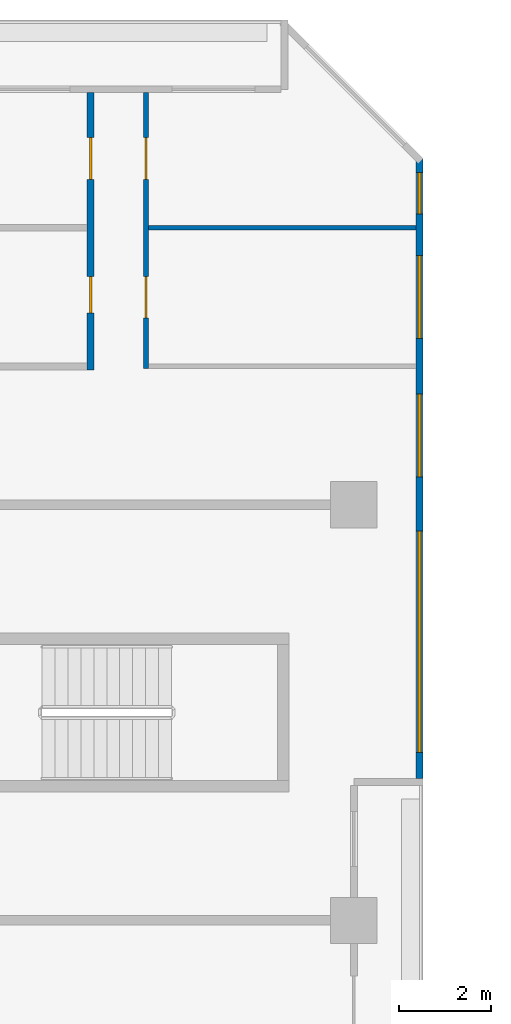
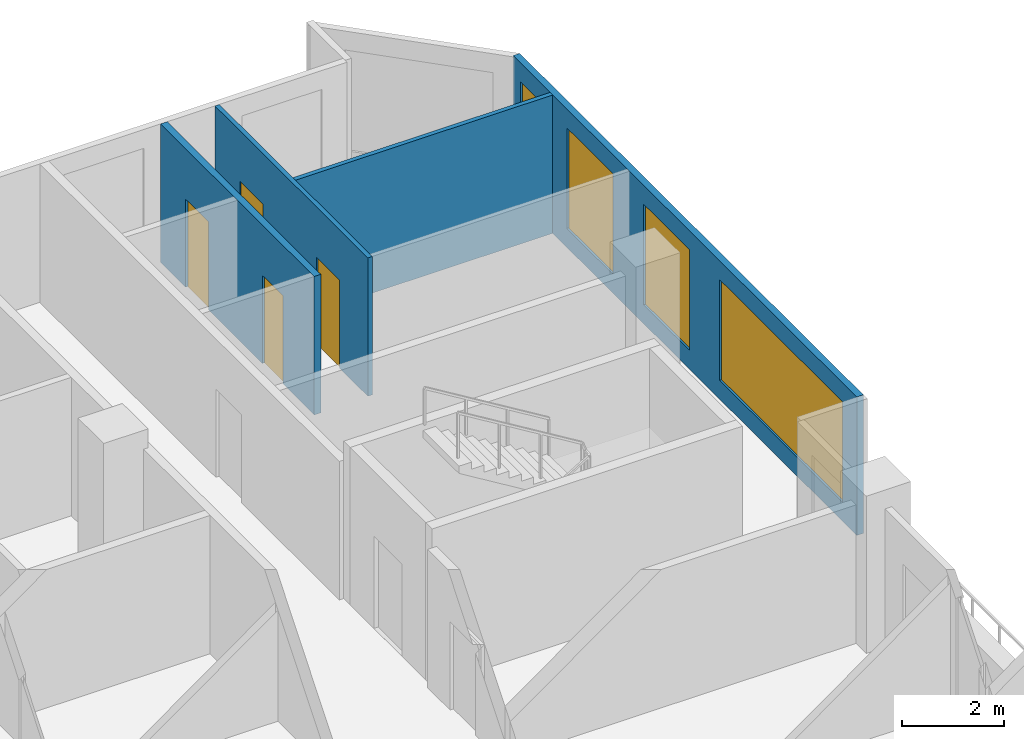
# One storey, part 11 of 15: 4 doors, 4 walls, 4 windows, 8 openings.
"""IFC4 building model written with IfcOpenShell, lengths in metres."""

from ifc_helpers import new_model, si_unit, direction, frame, frame_2d, origin, place, context, subcontext, project, spatial, rectangle, extrude, material, layer, layer_set, type_object, element, fill, save


model = new_model("IFC4")

# Units and contexts
model_context = context("Model", 3, precision=1e-05, world=origin(), true_north=direction((0.0, 1.0)))
body_context = subcontext(model_context, "Body", "Model", "MODEL_VIEW")
ifc_project = project(units=[si_unit("LENGTHUNIT", "METRE"), si_unit("AREAUNIT", "SQUARE_METRE"), si_unit("VOLUMEUNIT", "CUBIC_METRE"), si_unit("PLANEANGLEUNIT", "RADIAN"), si_unit("MASSUNIT", "GRAM", prefix="KILO")], contexts=[model_context])

# Site, building, storey
site_placement = place(None, origin())
site = spatial("IfcSite", under=ifc_project, at=site_placement, CompositionType="ELEMENT")
building_placement = place(site_placement, origin())
building = spatial("IfcBuilding", under=site, at=building_placement, Name="Chenar Terraces", CompositionType="ELEMENT")
storey_placement = place(building_placement, frame((0.0, 0.0, 136.89990234375)))
storey = spatial("IfcBuildingStorey", under=building, at=storey_placement, Name="L32", CompositionType="ELEMENT", Elevation=136.89990234375)

# Wall, openings, windows
ifc_material_1 = material(Name="Aluminium framed glazing", Category="aluminium")
ifc_layer_1 = layer(ifc_material_1, 0.14990234375)
ifc_layer_set_1 = layer_set([ifc_layer_1], Name="Aluminium framed glazing")
wall_type_1 = type_object("IfcWallType", Name="Glazed flush facade wall 150", PredefinedType="SOLIDWALL", material=ifc_layer_set_1)
wall_1_placement = place(storey_placement, frame((25.425048828125, 48.074951171875, 0.0), z_axis=(0.0, 0.0, 1.0), x_axis=(0.0, 1.0, 0.0)))
wall_1 = element("IfcWall", 1, at=wall_1_placement, inside=storey, type_object=wall_type_1, Name="Glazed flush facade wall", PredefinedType="SOLIDWALL", context=body_context, shape_type="SweptSolid", body=[
    extrude(rectangle(XDim=13.425048828125, YDim=0.14990234375, at=frame_2d((6.71240234375, 0.0))), origin(), (0.0, 0.0, 1.0), 3.300048828125),
])
opening_1_placement = place(wall_1_placement, frame((0.5625, 0.0, 0.449951171875)))
opening_1 = element("IfcOpeningElement", 2, at=opening_1_placement, cuts=wall_1, Name="Opening W480x240", PredefinedType="OPENING", context=body_context, shape_type="SweptSolid", body=[
    extrude(rectangle(XDim=4.800048828125, YDim=2.39990234375, at=frame_2d((2.39990234375, 1.199951171875))), frame((0.0, 0.0849609375, 0.0), z_axis=(0.0, -1.0, 0.0), x_axis=(1.0, 0.0, 0.0)), (0.0, 0.0, 1.0), 0.169921875),
])
opening_2_placement = place(wall_1_placement, frame((6.52490234375, 0.0, 0.449951171875)))
opening_2 = element("IfcOpeningElement", 3, at=opening_2_placement, cuts=wall_1, Name="Opening W180x240", PredefinedType="OPENING", context=body_context, shape_type="SweptSolid", body=[
    extrude(rectangle(XDim=1.800048828125, YDim=2.39990234375, at=frame_2d((0.89990234375, 1.199951171875))), frame((0.0, 0.0849609375, 0.0), z_axis=(0.0, -1.0, 0.0), x_axis=(1.0, 0.0, 0.0)), (0.0, 0.0, 1.0), 0.169921875),
])
opening_3_placement = place(wall_1_placement, frame((9.52490234375, 0.0, 0.449951171875)))
opening_3 = element("IfcOpeningElement", 4, at=opening_3_placement, cuts=wall_1, Name="Opening W180x240", PredefinedType="OPENING", context=body_context, shape_type="SweptSolid", body=[
    extrude(rectangle(XDim=1.800048828125, YDim=2.39990234375, at=frame_2d((0.89990234375, 1.199951171875))), frame((0.0, 0.0849609375, 0.0), z_axis=(0.0, -1.0, 0.0), x_axis=(1.0, 0.0, 0.0)), (0.0, 0.0, 1.0), 0.169921875),
])
opening_4_placement = place(wall_1_placement, frame((12.22509765625, 0.0, 0.449951171875)))
opening_4 = element("IfcOpeningElement", 5, at=opening_4_placement, cuts=wall_1, Name="Opening W90x240", PredefinedType="OPENING", context=body_context, shape_type="SweptSolid", body=[
    extrude(rectangle(XDim=0.89990234375, YDim=2.39990234375, at=frame_2d((0.449951171875, 1.199951171875))), frame((0.0, 0.0849609375, 0.0), z_axis=(0.0, -1.0, 0.0), x_axis=(1.0, 0.0, 0.0)), (0.0, 0.0, 1.0), 0.169921875),
])
ifc_material_2 = material(Name="Low emissivity double glazing, aluminium frame", Category="aluminium")
window_type_1 = type_object("IfcWindowType", Name="Fixed light 1800 x 2400", PartitioningType="SINGLE_PANEL", PredefinedType="WINDOW", material=ifc_material_2)
window_1_placement = place(opening_2_placement, origin())
window_1 = element("IfcWindow", 6, at=window_1_placement, inside=storey, type_object=window_type_1, Name="Window", OverallHeight=2.39990234375, OverallWidth=1.800048828125, PartitioningType="SINGLE_PANEL", PredefinedType="WINDOW", context=body_context, shape_type="SweptSolid", body=[
    extrude(rectangle(XDim=1.800048828125, YDim=2.39990234375, at=frame_2d((0.89990234375, 1.199951171875))), frame((0.0, 0.030029296875, 0.0), z_axis=(0.0, -1.0, 0.0), x_axis=(1.0, 0.0, 0.0)), (0.0, 0.0, 1.0), 0.06005859375),
])
fill(opening_2, window_1)
window_2_placement = place(opening_3_placement, origin())
window_2 = element("IfcWindow", 7, at=window_2_placement, inside=storey, type_object=window_type_1, Name="Window", OverallHeight=2.39990234375, OverallWidth=1.800048828125, PartitioningType="SINGLE_PANEL", PredefinedType="WINDOW", context=body_context, shape_type="SweptSolid", body=[
    extrude(rectangle(XDim=1.800048828125, YDim=2.39990234375, at=frame_2d((0.89990234375, 1.199951171875))), frame((0.0, 0.030029296875, 0.0), z_axis=(0.0, -1.0, 0.0), x_axis=(1.0, 0.0, 0.0)), (0.0, 0.0, 1.0), 0.06005859375),
])
fill(opening_3, window_2)
ifc_material_3 = material(Name="Low emissivity double glazing, aluminium frame", Category="aluminium")
window_type_2 = type_object("IfcWindowType", Name="Fixed light 4800 x 2400", PartitioningType="SINGLE_PANEL", PredefinedType="WINDOW", material=ifc_material_3)
window_3_placement = place(opening_1_placement, origin())
window_3 = element("IfcWindow", 8, at=window_3_placement, inside=storey, type_object=window_type_2, Name="Window", OverallHeight=2.39990234375, OverallWidth=4.800048828125, PartitioningType="SINGLE_PANEL", PredefinedType="WINDOW", context=body_context, shape_type="SweptSolid", body=[
    extrude(rectangle(XDim=4.800048828125, YDim=2.39990234375, at=frame_2d((2.39990234375, 1.199951171875))), frame((0.0, 0.030029296875, 0.0), z_axis=(0.0, -1.0, 0.0), x_axis=(1.0, 0.0, 0.0)), (0.0, 0.0, 1.0), 0.06005859375),
])
fill(opening_1, window_3)
ifc_material_4 = material(Name="Low emissivity double glazing, aluminium frame", Category="aluminium")
window_type_3 = type_object("IfcWindowType", Name="Fixed light 900 x 2400", PartitioningType="SINGLE_PANEL", PredefinedType="WINDOW", material=ifc_material_4)
window_4_placement = place(opening_4_placement, origin())
window_4 = element("IfcWindow", 9, at=window_4_placement, inside=storey, type_object=window_type_3, Name="Window", OverallHeight=2.39990234375, OverallWidth=0.89990234375, PartitioningType="SINGLE_PANEL", PredefinedType="WINDOW", context=body_context, shape_type="SweptSolid", body=[
    extrude(rectangle(XDim=0.89990234375, YDim=2.39990234375, at=frame_2d((0.449951171875, 1.199951171875))), frame((0.0, 0.030029296875, 0.0), z_axis=(0.0, -1.0, 0.0), x_axis=(1.0, 0.0, 0.0)), (0.0, 0.0, 1.0), 0.06005859375),
])
fill(opening_4, window_4)

# Wall, openings, doors
ifc_material_5 = material(Name="Gypsum board on steel studs", Category="steel")
ifc_layer_2 = layer(ifc_material_5, 0.10009765625)
ifc_layer_set_2 = layer_set([ifc_layer_2], Name="Gypsum board on steel studs")
wall_type_2 = type_object("IfcWallType", Name="Gypsum partition 100", PredefinedType="PARTITIONING", material=ifc_layer_set_2)
wall_2_placement = place(storey_placement, frame((19.5, 56.949951171875, 0.0), z_axis=(0.0, 0.0, 1.0), x_axis=(0.0, 1.0, 0.0)))
wall_2 = element("IfcWall", 10, at=wall_2_placement, inside=storey, type_object=wall_type_2, Name="Partition L32-051", PredefinedType="PARTITIONING", context=body_context, shape_type="SweptSolid", body=[
    extrude(rectangle(XDim=5.97607421875, YDim=0.10009765625, at=frame_2d((2.988037109375, 0.0))), origin(), (0.0, 0.0, 1.0), 3.300048828125),
])
opening_5_placement = place(wall_2_placement, frame((1.10009765625, 0.0, 0.0)))
opening_5 = element("IfcOpeningElement", 11, at=opening_5_placement, cuts=wall_2, Name="Opening DL32-34", PredefinedType="OPENING", context=body_context, shape_type="SweptSolid", body=[
    extrude(rectangle(XDim=0.89990234375, YDim=2.10009765625, at=frame_2d((0.449951171875, 1.050048828125))), frame((0.0, 0.06005859375, 0.0), z_axis=(0.0, -1.0, 0.0), x_axis=(1.0, 0.0, 0.0)), (0.0, 0.0, 1.0), 0.1201171875),
])
opening_6_placement = place(wall_2_placement, frame((4.10009765625, 0.0, 0.0)))
opening_6 = element("IfcOpeningElement", 12, at=opening_6_placement, cuts=wall_2, Name="Opening DL32-35", PredefinedType="OPENING", context=body_context, shape_type="SweptSolid", body=[
    extrude(rectangle(XDim=0.89990234375, YDim=2.10009765625, at=frame_2d((0.449951171875, 1.050048828125))), frame((0.0, 0.06005859375, 0.0), z_axis=(0.0, -1.0, 0.0), x_axis=(1.0, 0.0, 0.0)), (0.0, 0.0, 1.0), 0.1201171875),
])
ifc_material_6 = material(Name="Veneered timber door leaf", Category="wood")
door_type_1 = type_object("IfcDoorType", Name="Door 900 x 2100", OperationType="SINGLE_SWING_LEFT", PredefinedType="DOOR", material=ifc_material_6)
door_1_placement = place(opening_5_placement, frame((0.89990234375, 0.0, 0.0), z_axis=(0.0, 0.0, 1.0), x_axis=(-1.0, 0.0, 0.0)))
door_1 = element("IfcDoor", 13, at=door_1_placement, inside=storey, type_object=door_type_1, Name="Door DL32-34", OperationType="SINGLE_SWING_RIGHT", OverallHeight=2.10009765625, OverallWidth=0.89990234375, PredefinedType="DOOR", context=body_context, shape_type="SweptSolid", body=[
    extrude(rectangle(XDim=0.89990234375, YDim=2.10009765625, at=frame_2d((0.449951171875, 1.050048828125))), frame((0.0, 0.02490234375, 0.0), z_axis=(0.0, -1.0, 0.0), x_axis=(1.0, 0.0, 0.0)), (0.0, 0.0, 1.0), 0.050048828125),
])
fill(opening_5, door_1)
door_2_placement = place(opening_6_placement, frame((0.89990234375, 0.0, 0.0), z_axis=(0.0, 0.0, 1.0), x_axis=(-1.0, 0.0, 0.0)))
door_2 = element("IfcDoor", 14, at=door_2_placement, inside=storey, type_object=door_type_1, Name="Door DL32-35", OperationType="SINGLE_SWING_RIGHT", OverallHeight=2.10009765625, OverallWidth=0.89990234375, PredefinedType="DOOR", context=body_context, shape_type="SweptSolid", body=[
    extrude(rectangle(XDim=0.89990234375, YDim=2.10009765625, at=frame_2d((0.449951171875, 1.050048828125))), frame((0.0, 0.02490234375, 0.0), z_axis=(0.0, -1.0, 0.0), x_axis=(1.0, 0.0, 0.0)), (0.0, 0.0, 1.0), 0.050048828125),
])
fill(opening_6, door_2)

# Wall
wall_3_placement = place(storey_placement, frame((19.550048828125, 60.0, 0.0), z_axis=(0.0, 0.0, 1.0), x_axis=(1.0, 0.0, 0.0)))
element("IfcWall", 15, at=wall_3_placement, inside=storey, type_object=wall_type_2, Name="Partition L32-053", PredefinedType="PARTITIONING", context=body_context, shape_type="SweptSolid", body=[
    extrude(rectangle(XDim=5.801025390625, YDim=0.10009765625, at=frame_2d((2.900390625, 0.0))), origin(), (0.0, 0.0, 1.0), 3.300048828125),
])

# Wall, openings, doors
ifc_material_7 = material(Name="Moisture-resistant gypsum board on steel studs", Category="steel")
ifc_layer_3 = layer(ifc_material_7, 0.14990234375)
ifc_layer_set_3 = layer_set([ifc_layer_3], Name="Moisture-resistant gypsum board on steel studs")
wall_type_3 = type_object("IfcWallType", Name="Wet-room partition 150", PredefinedType="PARTITIONING", material=ifc_layer_set_3)
wall_4_placement = place(storey_placement, frame((18.300048828125, 56.925048828125, 0.0), z_axis=(0.0, 0.0, 1.0), x_axis=(0.0, 1.0, 0.0)))
wall_4 = element("IfcWall", 16, at=wall_4_placement, inside=storey, type_object=wall_type_3, Name="Partition L32-049", PredefinedType="PARTITIONING", context=body_context, shape_type="SweptSolid", body=[
    extrude(rectangle(XDim=6.0009765625, YDim=0.14990234375, at=frame_2d((3.00048828125, 0.0))), origin(), (0.0, 0.0, 1.0), 3.300048828125),
])
opening_7_placement = place(wall_4_placement, frame((1.22509765625, 0.0, 0.0)))
opening_7 = element("IfcOpeningElement", 17, at=opening_7_placement, cuts=wall_4, Name="Opening DL32-33", PredefinedType="OPENING", context=body_context, shape_type="SweptSolid", body=[
    extrude(rectangle(XDim=0.800048828125, YDim=2.10009765625, at=frame_2d((0.39990234375, 1.050048828125))), frame((0.0, 0.0849609375, 0.0), z_axis=(0.0, -1.0, 0.0), x_axis=(1.0, 0.0, 0.0)), (0.0, 0.0, 1.0), 0.169921875),
])
opening_8_placement = place(wall_4_placement, frame((4.125, 0.0, 0.0)))
opening_8 = element("IfcOpeningElement", 18, at=opening_8_placement, cuts=wall_4, Name="Opening DL32-36", PredefinedType="OPENING", context=body_context, shape_type="SweptSolid", body=[
    extrude(rectangle(XDim=0.89990234375, YDim=2.10009765625, at=frame_2d((0.449951171875, 1.050048828125))), frame((0.0, 0.0849609375, 0.0), z_axis=(0.0, -1.0, 0.0), x_axis=(1.0, 0.0, 0.0)), (0.0, 0.0, 1.0), 0.169921875),
])
ifc_material_8 = material(Name="Veneered timber door leaf", Category="wood")
door_type_2 = type_object("IfcDoorType", Name="Door 800 x 2100", OperationType="SINGLE_SWING_LEFT", PredefinedType="DOOR", material=ifc_material_8)
door_3_placement = place(opening_7_placement, origin())
door_3 = element("IfcDoor", 19, at=door_3_placement, inside=storey, type_object=door_type_2, Name="Door DL32-33", OperationType="SINGLE_SWING_RIGHT", OverallHeight=2.10009765625, OverallWidth=0.800048828125, PredefinedType="DOOR", context=body_context, shape_type="SweptSolid", body=[
    extrude(rectangle(XDim=0.800048828125, YDim=2.10009765625, at=frame_2d((0.39990234375, 1.050048828125))), frame((0.0, 0.02490234375, 0.0), z_axis=(0.0, -1.0, 0.0), x_axis=(1.0, 0.0, 0.0)), (0.0, 0.0, 1.0), 0.050048828125),
])
fill(opening_7, door_3)
door_4_placement = place(opening_8_placement, origin())
door_4 = element("IfcDoor", 20, at=door_4_placement, inside=storey, type_object=door_type_1, Name="Door DL32-36", OperationType="SINGLE_SWING_LEFT", OverallHeight=2.10009765625, OverallWidth=0.89990234375, PredefinedType="DOOR", context=body_context, shape_type="SweptSolid", body=[
    extrude(rectangle(XDim=0.89990234375, YDim=2.10009765625, at=frame_2d((0.449951171875, 1.050048828125))), frame((0.0, 0.02490234375, 0.0), z_axis=(0.0, -1.0, 0.0), x_axis=(1.0, 0.0, 0.0)), (0.0, 0.0, 1.0), 0.050048828125),
])
fill(opening_8, door_4)

save(model, "model.ifc")
